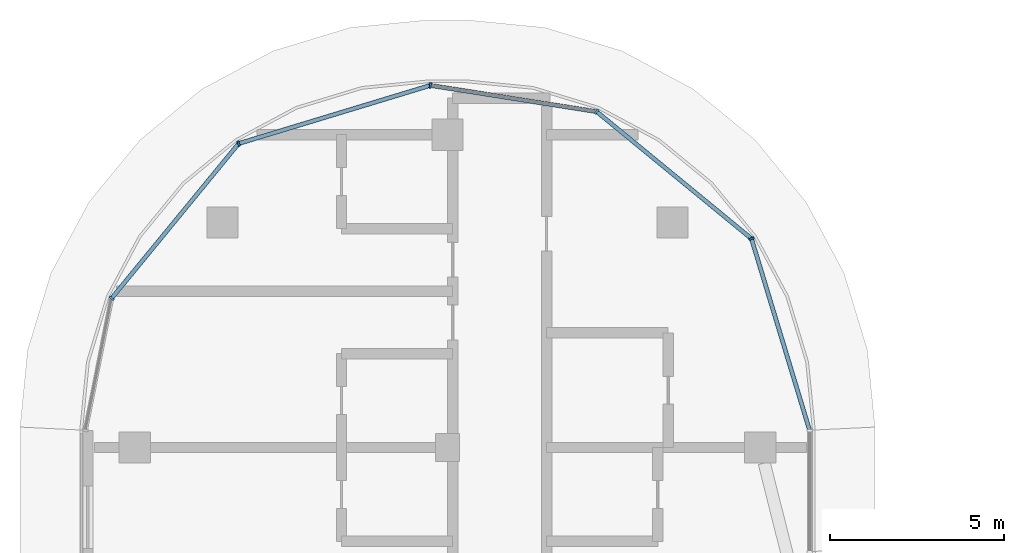
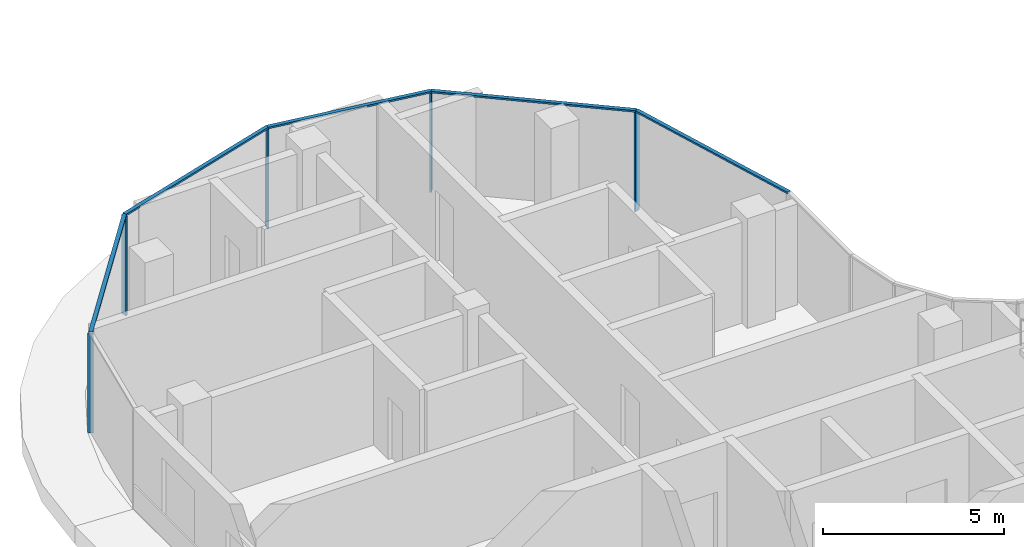
# One storey, part 6 of 21: 10 members, 1 element without a shape of its own.
"""IFC4 building model written with IfcOpenShell, lengths in metres."""

from ifc_helpers import new_model, si_unit, direction, frame, origin, origin_2d, place, context, subcontext, project, spatial, rectangle, extrude, material, material_profile, profile_set, type_object, element, aggregate, save


model = new_model("IFC4")

# Units and contexts
model_context = context("Model", 3, precision=1e-05, world=origin(), true_north=direction((0.0, 1.0)))
body_context = subcontext(model_context, "Body", "Model", "MODEL_VIEW")
ifc_project = project(units=[si_unit("LENGTHUNIT", "METRE"), si_unit("AREAUNIT", "SQUARE_METRE"), si_unit("VOLUMEUNIT", "CUBIC_METRE"), si_unit("PLANEANGLEUNIT", "RADIAN"), si_unit("MASSUNIT", "GRAM", prefix="KILO")], contexts=[model_context])

# Site, building, storey
site_placement = place(None, origin())
site = spatial("IfcSite", under=ifc_project, at=site_placement, CompositionType="ELEMENT")
building_placement = place(site_placement, origin())
building = spatial("IfcBuilding", under=site, at=building_placement, Name="Ogive Portal Towers", CompositionType="ELEMENT")
storey_placement = place(building_placement, frame((0.0, 0.0, 225.39990234375)))
storey = spatial("IfcBuildingStorey", under=building, at=storey_placement, Name="L56", CompositionType="ELEMENT", Elevation=225.39990234375)

# Curtain wall, members
ifc_material_1 = material(Name="Glass, clear low-iron insulated glazing", Category="glass")
curtain_wall_type = type_object("IfcCurtainWallType", Name="CW FRONT RIBBON 4500", PredefinedType="NOTDEFINED", material=ifc_material_1)
curtain_wall_placement = place(storey_placement, origin())
curtain_wall = element("IfcCurtainWall", 1, at=curtain_wall_placement, inside=storey, type_object=curtain_wall_type, Name="A:L56:f18:cwa", PredefinedType="NOTDEFINED")
ifc_material_2 = material(Name="Aluminium 6063 anodised", Category="aluminium")
ifc_material_profile_1 = material_profile(ifc_material_2, rectangle(XDim=0.159912109375, YDim=0.06005859375, at=origin_2d()), Name="AL 60x160")
ifc_profile_set_1 = profile_set([ifc_material_profile_1], Name="Aluminium 6063 anodised")
member_type_1 = type_object("IfcMemberType", Name="CW MULLION 60x160", PredefinedType="MULLION", material=ifc_profile_set_1)
member_1_placement = place(storey_placement, frame((49.2451171875, 54.50927734375, 0.0), z_axis=(0.0, 0.0, 1.0), x_axis=(-0.956940335732, -0.290284677254, 0.0)))
member_1 = element("IfcMember", 2, at=member_1_placement, type_object=member_type_1, Name="mullion", PredefinedType="MULLION", context=body_context, shape_type="SweptSolid", body=[
    extrude(rectangle(XDim=0.159912109375, YDim=0.06005859375, at=origin_2d()), origin(), (0.0, 0.0, 1.0), 3.340087890625),
])
member_2_placement = place(storey_placement, frame((44.79296875, 58.1630859375, 0.0), z_axis=(0.0, 0.0, 1.0), x_axis=(-0.634393284164, -0.773010453363, 0.0)))
member_2 = element("IfcMember", 3, at=member_2_placement, type_object=member_type_1, Name="mullion", PredefinedType="MULLION", context=body_context, shape_type="SweptSolid", body=[
    extrude(rectangle(XDim=0.159912109375, YDim=0.06005859375, at=origin_2d()), origin(), (0.0, 0.0, 1.0), 3.340087890625),
])
member_3_placement = place(storey_placement, frame((40.005615234375, 58.918212890625, 0.0), z_axis=(0.0, 0.0, 1.0), x_axis=(-0.155777466355, -0.987792174992, 0.0)))
member_3 = element("IfcMember", 4, at=member_3_placement, type_object=member_type_1, Name="mullion", PredefinedType="MULLION", context=body_context, shape_type="SweptSolid", body=[
    extrude(rectangle(XDim=0.159912109375, YDim=0.06005859375, at=origin_2d()), origin(), (0.0, 0.0, 1.0), 3.340087890625),
])
member_4_placement = place(storey_placement, frame((34.49072265625, 57.2451171875, 0.0), z_axis=(0.0, 0.0, 1.0), x_axis=(0.290284677254, -0.956940335732, 0.0)))
member_4 = element("IfcMember", 5, at=member_4_placement, type_object=member_type_1, Name="mullion", PredefinedType="MULLION", context=body_context, shape_type="SweptSolid", body=[
    extrude(rectangle(XDim=0.159912109375, YDim=0.06005859375, at=origin_2d()), origin(), (0.0, 0.0, 1.0), 3.340087890625),
])
member_5_placement = place(storey_placement, frame((30.835693359375, 52.79150390625, 0.0), z_axis=(0.0, 0.0, 1.0), x_axis=(0.773010453363, -0.634393284164, 0.0)))
member_5 = element("IfcMember", 6, at=member_5_placement, type_object=member_type_1, Name="mullion", PredefinedType="MULLION", context=body_context, shape_type="SweptSolid", body=[
    extrude(rectangle(XDim=0.159912109375, YDim=0.06005859375, at=origin_2d()), origin(), (0.0, 0.0, 1.0), 3.340087890625),
])
ifc_material_profile_2 = material_profile(ifc_material_2, rectangle(XDim=0.1201171875, YDim=0.06005859375, at=origin_2d()), Name="AL 120x60")
ifc_profile_set_2 = profile_set([ifc_material_profile_2], Name="Aluminium 6063 anodised")
member_type_2 = type_object("IfcMemberType", Name="CW TRANSOM 60x120", PredefinedType="USERDEFINED", material=ifc_profile_set_2)
member_6_placement = place(storey_placement, frame((50.919921875, 48.988037109375, 3.3701171875), z_axis=(-0.290277499028, 0.956942513194, 0.0), x_axis=(-0.956942513194, -0.290277499028, 0.0)))
member_6 = element("IfcMember", 7, at=member_6_placement, type_object=member_type_2, Name="transom", ObjectType="TRANSOM", PredefinedType="USERDEFINED", context=body_context, shape_type="SweptSolid", body=[
    extrude(rectangle(XDim=0.1201171875, YDim=0.06005859375, at=origin_2d()), origin(), (0.0, 0.0, 1.0), 5.769775390625),
])
member_7_placement = place(storey_placement, frame((49.2451171875, 54.50927734375, 3.3701171875), z_axis=(-0.773008341981, 0.634395856881, 0.0), x_axis=(-0.634395856881, -0.773008341981, 0.0)))
member_7 = element("IfcMember", 8, at=member_7_placement, type_object=member_type_2, Name="transom", ObjectType="TRANSOM", PredefinedType="USERDEFINED", context=body_context, shape_type="SweptSolid", body=[
    extrude(rectangle(XDim=0.1201171875, YDim=0.06005859375, at=origin_2d()), origin(), (0.0, 0.0, 1.0), 5.759521484375),
])
member_8_placement = place(storey_placement, frame((44.79296875, 58.1630859375, 3.3701171875), z_axis=(-0.987787459497, 0.155807364589, 0.0), x_axis=(-0.155807364589, -0.987787459497, 0.0)))
member_8 = element("IfcMember", 9, at=member_8_placement, type_object=member_type_2, Name="transom", ObjectType="TRANSOM", PredefinedType="USERDEFINED", context=body_context, shape_type="SweptSolid", body=[
    extrude(rectangle(XDim=0.1201171875, YDim=0.06005859375, at=origin_2d()), origin(), (0.0, 0.0, 1.0), 4.846435546875),
])
member_9_placement = place(storey_placement, frame((40.005615234375, 58.918212890625, 3.3701171875), z_axis=(-0.956932077168, -0.290311900697, 0.0), x_axis=(0.290311900697, -0.956932077168, 0.0)))
member_9 = element("IfcMember", 10, at=member_9_placement, type_object=member_type_2, Name="transom", ObjectType="TRANSOM", PredefinedType="USERDEFINED", context=body_context, shape_type="SweptSolid", body=[
    extrude(rectangle(XDim=0.1201171875, YDim=0.06005859375, at=origin_2d()), origin(), (0.0, 0.0, 1.0), 5.76318359375),
])
member_10_placement = place(storey_placement, frame((34.49072265625, 57.2451171875, 3.3701171875), z_axis=(-0.63439777858, -0.773006764869, 0.0), x_axis=(0.773006764869, -0.63439777858, 0.0)))
member_10 = element("IfcMember", 11, at=member_10_placement, type_object=member_type_2, Name="transom", ObjectType="TRANSOM", PredefinedType="USERDEFINED", context=body_context, shape_type="SweptSolid", body=[
    extrude(rectangle(XDim=0.1201171875, YDim=0.06005859375, at=origin_2d()), origin(), (0.0, 0.0, 1.0), 5.761474609375),
])
aggregate(curtain_wall, [member_6, member_7, member_8, member_9, member_10, member_1, member_2, member_3, member_4, member_5])

save(model, "model.ifc")
